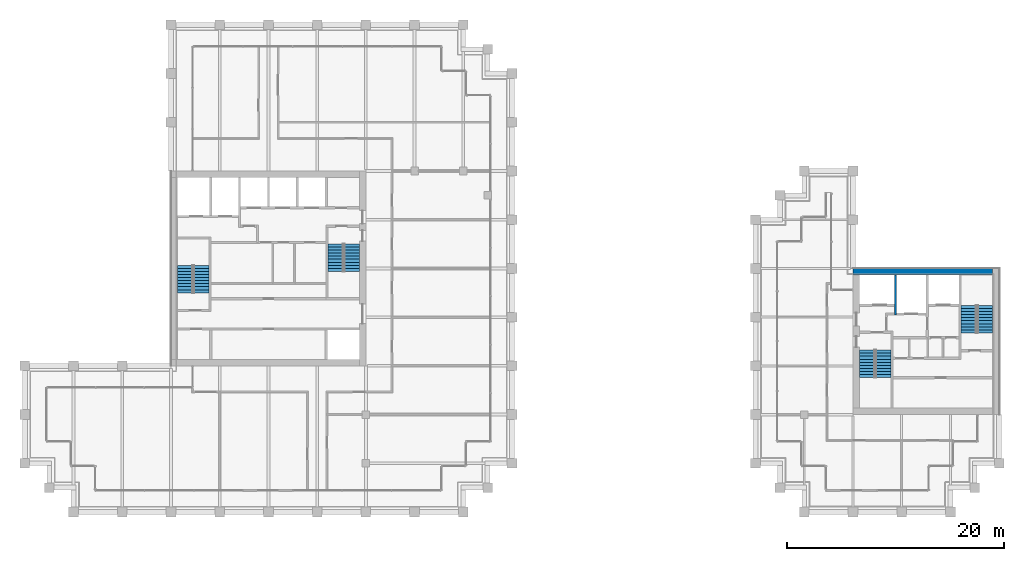
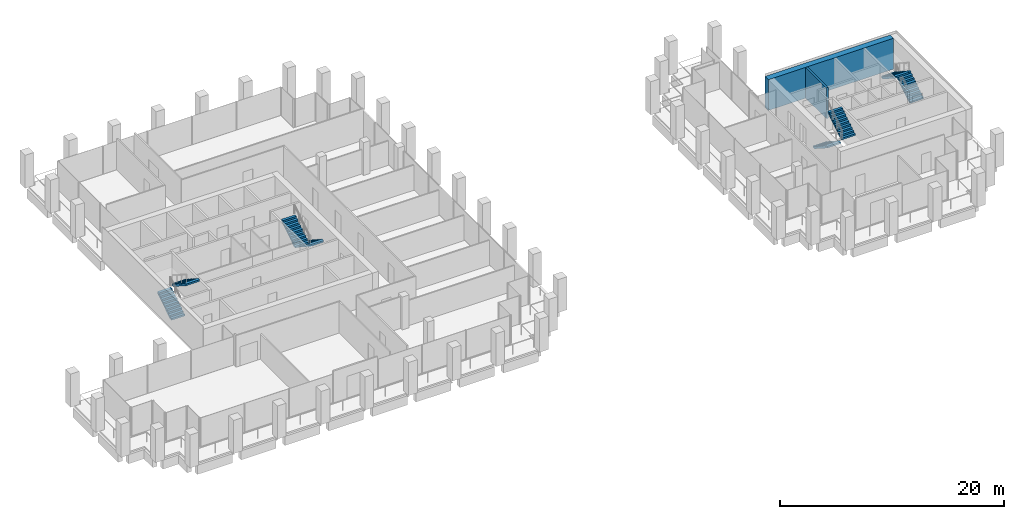
# One storey, part 39 of 40: 8 stair flights, 2 walls, 4 elements without a shape of their own.
"""IFC4 building model written with IfcOpenShell, lengths in metres."""

from ifc_helpers import new_model, si_unit, direction, frame, frame_2d, origin, place, context, subcontext, project, spatial, polyline, rectangle, outline, extrude, material, layer, layer_set, type_object, element, aggregate, save


model = new_model("IFC4")

# Units and contexts
model_context = context("Model", 3, precision=1e-05, world=origin(), true_north=direction((0.0, 1.0)))
body_context = subcontext(model_context, "Body", "Model", "MODEL_VIEW")
ifc_project = project(units=[si_unit("LENGTHUNIT", "METRE"), si_unit("AREAUNIT", "SQUARE_METRE"), si_unit("VOLUMEUNIT", "CUBIC_METRE"), si_unit("PLANEANGLEUNIT", "RADIAN"), si_unit("MASSUNIT", "GRAM", prefix="KILO")], contexts=[model_context])

# Site, building, storey
site_placement = place(None, origin())
site = spatial("IfcSite", under=ifc_project, at=site_placement, CompositionType="ELEMENT")
building_placement = place(site_placement, origin())
building = spatial("IfcBuilding", under=site, at=building_placement, Name="Altepetl Exchange Towers", CompositionType="ELEMENT")
storey_placement = place(building_placement, frame((0.0, 0.0, 176.199951171875)))
storey = spatial("IfcBuildingStorey", under=building, at=storey_placement, Name="L44", CompositionType="ELEMENT", Elevation=176.199951171875)

# Walls
ifc_material_1 = material(Name="Concrete C70/85", Category="concrete")
ifc_layer_1 = layer(ifc_material_1, 0.60009765625)
ifc_layer_set_1 = layer_set([ifc_layer_1], Name="Concrete C70/85")
wall_type_1 = type_object("IfcWallType", Name="Core wall 600 reinforced concrete external", PredefinedType="SHEAR", material=ifc_layer_set_1)
wall_1_placement = place(storey_placement, frame((103.5, 49.199951171875, 0.0)))
element("IfcWall", 1, at=wall_1_placement, inside=storey, type_object=wall_type_1, Name="wall:B:L44:K-coreN", PredefinedType="SHEAR", context=body_context, shape_type="SweptSolid", body=[
    extrude(rectangle(XDim=12.89990234375, YDim=0.60009765625, at=frame_2d((6.449951171875, 0.0))), origin(), (0.0, 0.0, 1.0), 3.35009765625),
])
ifc_material_2 = material(Name="Concrete C40/50", Category="concrete")
ifc_layer_2 = layer(ifc_material_2, 0.199951171875)
ifc_layer_set_2 = layer_set([ifc_layer_2], Name="Concrete C40/50")
wall_type_2 = type_object("IfcWallType", Name="Shaft wall 200 reinforced concrete", PredefinedType="SHEAR", material=ifc_layer_set_2)
wall_2_placement = place(storey_placement, frame((107.433349609375, 48.89990234375, 0.0), z_axis=(0.0, 0.0, 1.0), x_axis=(0.0, -1.0, 0.0)))
element("IfcWall", 2, at=wall_2_placement, inside=storey, type_object=wall_type_2, Name="wall:B:L44:K-divN1", PredefinedType="SHEAR", context=body_context, shape_type="SweptSolid", body=[
    extrude(rectangle(XDim=3.699951171875, YDim=0.199951171875, at=frame_2d((1.85009765625, 0.0))), origin(), (0.0, 0.0, 1.0), 3.35009765625),
])

# Stair, stair flights
stair_type = type_object("IfcStairType", Name="Exit stair 1400 flights dogleg", PredefinedType="HALF_TURN_STAIR", material=ifc_material_2)
stair_1_placement = place(storey_placement, origin())
stair_1 = element("IfcStair", 3, at=stair_1_placement, inside=storey, type_object=stair_type, Name="Exit stair 1", PredefinedType="HALF_TURN_STAIR")
stair_flight_type = type_object("IfcStairFlightType", Name="Stair flight 1400 wide", PredefinedType="STRAIGHT", material=ifc_material_2)
stair_flight_1_placement = place(storey_placement, frame((41.800048828125, 47.25, 0.0), z_axis=(0.0, 0.0, 1.0), x_axis=(0.0, 1.0, 0.0)))
stair_flight_1 = element("IfcStairFlight", 4, at=stair_flight_1_placement, type_object=stair_flight_type, Name="ST-A1e flight 1", NumberOfRisers=10, NumberOfTreads=9, PredefinedType="STRAIGHT", RiserHeight=0.18, TreadLength=0.28, context=body_context, shape_type="SweptSolid", body=[
    extrude(outline(polyline([(0.0, 0.0), (0.0, 0.179931640625), (0.280029296875, 0.179931640625), (0.280029296875, 0.360107421875), (0.56005859375, 0.360107421875), (0.56005859375, 0.5400390625), (0.840087890625, 0.5400390625), (0.840087890625, 0.719970703125), (1.1201171875, 0.719970703125), (1.1201171875, 0.89990234375), (1.39990234375, 0.89990234375), (1.39990234375, 1.080078125), (1.679931640625, 1.080078125), (1.679931640625, 1.260009765625), (1.9599609375, 1.260009765625), (1.9599609375, 1.43994140625), (2.239990234375, 1.43994140625), (2.239990234375, 1.6201171875), (2.52001953125, 1.6201171875), (2.52001953125, 1.800048828125), (2.52001953125, 1.44189453125), (0.277099609375, 0.0), (0.0, 0.0)])), frame((0.0, 0.699951171875, 0.0), z_axis=(0.0, -1.0, 0.0), x_axis=(1.0, 0.0, 0.0)), (0.0, 0.0, 1.0), 1.39990234375),
])
stair_flight_2_placement = place(storey_placement, frame((43.300048828125, 49.77001953125, 1.800048828125), z_axis=(0.0, 0.0, 1.0), x_axis=(0.0, -1.0, 0.0)))
stair_flight_2 = element("IfcStairFlight", 5, at=stair_flight_2_placement, type_object=stair_flight_type, Name="ST-A1e flight 2", NumberOfRisers=10, NumberOfTreads=9, PredefinedType="STRAIGHT", RiserHeight=0.18, TreadLength=0.28, context=body_context, shape_type="SweptSolid", body=[
    extrude(outline(polyline([(0.0, 0.0), (0.0, 0.179931640625), (0.280029296875, 0.179931640625), (0.280029296875, 0.360107421875), (0.56005859375, 0.360107421875), (0.56005859375, 0.5400390625), (0.840087890625, 0.5400390625), (0.840087890625, 0.719970703125), (1.1201171875, 0.719970703125), (1.1201171875, 0.89990234375), (1.39990234375, 0.89990234375), (1.39990234375, 1.080078125), (1.679931640625, 1.080078125), (1.679931640625, 1.260009765625), (1.9599609375, 1.260009765625), (1.9599609375, 1.43994140625), (2.239990234375, 1.43994140625), (2.239990234375, 1.6201171875), (2.52001953125, 1.6201171875), (2.52001953125, 1.800048828125), (2.52001953125, 1.44189453125), (0.277099609375, 0.0), (0.0, 0.0)])), frame((0.0, 0.699951171875, 0.0), z_axis=(0.0, -1.0, 0.0), x_axis=(1.0, 0.0, 0.0)), (0.0, 0.0, 1.0), 1.39990234375),
])
aggregate(stair_1, [stair_flight_1, stair_flight_2])

stair_2_placement = place(storey_placement, origin())
stair_2 = element("IfcStair", 6, at=stair_2_placement, inside=storey, type_object=stair_type, Name="Exit stair 2", PredefinedType="HALF_TURN_STAIR")
stair_flight_3_placement = place(storey_placement, frame((57.199951171875, 51.75, 0.0), z_axis=(0.0, 0.0, 1.0), x_axis=(0.0, -1.0, 0.0)))
stair_flight_3 = element("IfcStairFlight", 7, at=stair_flight_3_placement, type_object=stair_flight_type, Name="ST-A2e flight 1", NumberOfRisers=10, NumberOfTreads=9, PredefinedType="STRAIGHT", RiserHeight=0.18, TreadLength=0.28, context=body_context, shape_type="SweptSolid", body=[
    extrude(outline(polyline([(0.0, 0.0), (0.0, 0.179931640625), (0.280029296875, 0.179931640625), (0.280029296875, 0.360107421875), (0.56005859375, 0.360107421875), (0.56005859375, 0.5400390625), (0.840087890625, 0.5400390625), (0.840087890625, 0.719970703125), (1.1201171875, 0.719970703125), (1.1201171875, 0.89990234375), (1.39990234375, 0.89990234375), (1.39990234375, 1.080078125), (1.679931640625, 1.080078125), (1.679931640625, 1.260009765625), (1.9599609375, 1.260009765625), (1.9599609375, 1.43994140625), (2.239990234375, 1.43994140625), (2.239990234375, 1.6201171875), (2.52001953125, 1.6201171875), (2.52001953125, 1.800048828125), (2.52001953125, 1.44189453125), (0.277099609375, 0.0), (0.0, 0.0)])), frame((0.0, 0.699951171875, 0.0), z_axis=(0.0, -1.0, 0.0), x_axis=(1.0, 0.0, 0.0)), (0.0, 0.0, 1.0), 1.39990234375),
])
stair_flight_4_placement = place(storey_placement, frame((55.699951171875, 49.22998046875, 1.800048828125), z_axis=(0.0, 0.0, 1.0), x_axis=(0.0, 1.0, 0.0)))
stair_flight_4 = element("IfcStairFlight", 8, at=stair_flight_4_placement, type_object=stair_flight_type, Name="ST-A2e flight 2", NumberOfRisers=10, NumberOfTreads=9, PredefinedType="STRAIGHT", RiserHeight=0.18, TreadLength=0.28, context=body_context, shape_type="SweptSolid", body=[
    extrude(outline(polyline([(0.0, 0.0), (0.0, 0.179931640625), (0.280029296875, 0.179931640625), (0.280029296875, 0.360107421875), (0.56005859375, 0.360107421875), (0.56005859375, 0.5400390625), (0.840087890625, 0.5400390625), (0.840087890625, 0.719970703125), (1.1201171875, 0.719970703125), (1.1201171875, 0.89990234375), (1.39990234375, 0.89990234375), (1.39990234375, 1.080078125), (1.679931640625, 1.080078125), (1.679931640625, 1.260009765625), (1.9599609375, 1.260009765625), (1.9599609375, 1.43994140625), (2.239990234375, 1.43994140625), (2.239990234375, 1.6201171875), (2.52001953125, 1.6201171875), (2.52001953125, 1.800048828125), (2.52001953125, 1.44189453125), (0.277099609375, 0.0), (0.0, 0.0)])), frame((0.0, 0.699951171875, 0.0), z_axis=(0.0, -1.0, 0.0), x_axis=(1.0, 0.0, 0.0)), (0.0, 0.0, 1.0), 1.39990234375),
])
aggregate(stair_2, [stair_flight_3, stair_flight_4])

stair_3_placement = place(storey_placement, origin())
stair_3 = element("IfcStair", 9, at=stair_3_placement, inside=storey, type_object=stair_type, Name="Exit stair 1", PredefinedType="HALF_TURN_STAIR")
stair_flight_5_placement = place(storey_placement, frame((104.800048828125, 41.949951171875, 0.0), z_axis=(0.0, 0.0, 1.0), x_axis=(0.0, -1.0, 0.0)))
stair_flight_5 = element("IfcStairFlight", 10, at=stair_flight_5_placement, type_object=stair_flight_type, Name="ST-B1e flight 1", NumberOfRisers=10, NumberOfTreads=9, PredefinedType="STRAIGHT", RiserHeight=0.18, TreadLength=0.28, context=body_context, shape_type="SweptSolid", body=[
    extrude(outline(polyline([(0.0, 0.0), (0.0, 0.179931640625), (0.280029296875, 0.179931640625), (0.280029296875, 0.360107421875), (0.56005859375, 0.360107421875), (0.56005859375, 0.5400390625), (0.840087890625, 0.5400390625), (0.840087890625, 0.719970703125), (1.1201171875, 0.719970703125), (1.1201171875, 0.89990234375), (1.39990234375, 0.89990234375), (1.39990234375, 1.080078125), (1.679931640625, 1.080078125), (1.679931640625, 1.260009765625), (1.9599609375, 1.260009765625), (1.9599609375, 1.43994140625), (2.239990234375, 1.43994140625), (2.239990234375, 1.6201171875), (2.52001953125, 1.6201171875), (2.52001953125, 1.800048828125), (2.52001953125, 1.44189453125), (0.277099609375, 0.0), (0.0, 0.0)])), frame((0.0, 0.699951171875, 0.0), z_axis=(0.0, -1.0, 0.0), x_axis=(1.0, 0.0, 0.0)), (0.0, 0.0, 1.0), 1.39990234375),
])
stair_flight_6_placement = place(storey_placement, frame((106.300048828125, 39.429931640625, 1.800048828125), z_axis=(0.0, 0.0, 1.0), x_axis=(0.0, 1.0, 0.0)))
stair_flight_6 = element("IfcStairFlight", 11, at=stair_flight_6_placement, type_object=stair_flight_type, Name="ST-B1e flight 2", NumberOfRisers=10, NumberOfTreads=9, PredefinedType="STRAIGHT", RiserHeight=0.18, TreadLength=0.28, context=body_context, shape_type="SweptSolid", body=[
    extrude(outline(polyline([(0.0, 0.0), (0.0, 0.179931640625), (0.280029296875, 0.179931640625), (0.280029296875, 0.360107421875), (0.56005859375, 0.360107421875), (0.56005859375, 0.5400390625), (0.840087890625, 0.5400390625), (0.840087890625, 0.719970703125), (1.1201171875, 0.719970703125), (1.1201171875, 0.89990234375), (1.39990234375, 0.89990234375), (1.39990234375, 1.080078125), (1.679931640625, 1.080078125), (1.679931640625, 1.260009765625), (1.9599609375, 1.260009765625), (1.9599609375, 1.43994140625), (2.239990234375, 1.43994140625), (2.239990234375, 1.6201171875), (2.52001953125, 1.6201171875), (2.52001953125, 1.800048828125), (2.52001953125, 1.44189453125), (0.277099609375, 0.0), (0.0, 0.0)])), frame((0.0, 0.699951171875, 0.0), z_axis=(0.0, -1.0, 0.0), x_axis=(1.0, 0.0, 0.0)), (0.0, 0.0, 1.0), 1.39990234375),
])
aggregate(stair_3, [stair_flight_5, stair_flight_6])

stair_4_placement = place(storey_placement, origin())
stair_4 = element("IfcStair", 12, at=stair_4_placement, inside=storey, type_object=stair_type, Name="Exit stair 2", PredefinedType="HALF_TURN_STAIR")
stair_flight_7_placement = place(storey_placement, frame((115.699951171875, 43.550048828125, 0.0), z_axis=(0.0, 0.0, 1.0), x_axis=(0.0, 1.0, 0.0)))
stair_flight_7 = element("IfcStairFlight", 13, at=stair_flight_7_placement, type_object=stair_flight_type, Name="ST-B2e flight 1", NumberOfRisers=10, NumberOfTreads=9, PredefinedType="STRAIGHT", RiserHeight=0.18, TreadLength=0.28, context=body_context, shape_type="SweptSolid", body=[
    extrude(outline(polyline([(0.0, 0.0), (0.0, 0.179931640625), (0.280029296875, 0.179931640625), (0.280029296875, 0.360107421875), (0.56005859375, 0.360107421875), (0.56005859375, 0.5400390625), (0.840087890625, 0.5400390625), (0.840087890625, 0.719970703125), (1.1201171875, 0.719970703125), (1.1201171875, 0.89990234375), (1.39990234375, 0.89990234375), (1.39990234375, 1.080078125), (1.679931640625, 1.080078125), (1.679931640625, 1.260009765625), (1.9599609375, 1.260009765625), (1.9599609375, 1.43994140625), (2.239990234375, 1.43994140625), (2.239990234375, 1.6201171875), (2.52001953125, 1.6201171875), (2.52001953125, 1.800048828125), (2.52001953125, 1.44189453125), (0.277099609375, 0.0), (0.0, 0.0)])), frame((0.0, 0.699951171875, 0.0), z_axis=(0.0, -1.0, 0.0), x_axis=(1.0, 0.0, 0.0)), (0.0, 0.0, 1.0), 1.39990234375),
])
stair_flight_8_placement = place(storey_placement, frame((114.199951171875, 46.070068359375, 1.800048828125), z_axis=(0.0, 0.0, 1.0), x_axis=(0.0, -1.0, 0.0)))
stair_flight_8 = element("IfcStairFlight", 14, at=stair_flight_8_placement, type_object=stair_flight_type, Name="ST-B2e flight 2", NumberOfRisers=10, NumberOfTreads=9, PredefinedType="STRAIGHT", RiserHeight=0.18, TreadLength=0.28, context=body_context, shape_type="SweptSolid", body=[
    extrude(outline(polyline([(0.0, 0.0), (0.0, 0.179931640625), (0.280029296875, 0.179931640625), (0.280029296875, 0.360107421875), (0.56005859375, 0.360107421875), (0.56005859375, 0.5400390625), (0.840087890625, 0.5400390625), (0.840087890625, 0.719970703125), (1.1201171875, 0.719970703125), (1.1201171875, 0.89990234375), (1.39990234375, 0.89990234375), (1.39990234375, 1.080078125), (1.679931640625, 1.080078125), (1.679931640625, 1.260009765625), (1.9599609375, 1.260009765625), (1.9599609375, 1.43994140625), (2.239990234375, 1.43994140625), (2.239990234375, 1.6201171875), (2.52001953125, 1.6201171875), (2.52001953125, 1.800048828125), (2.52001953125, 1.44189453125), (0.277099609375, 0.0), (0.0, 0.0)])), frame((0.0, 0.699951171875, 0.0), z_axis=(0.0, -1.0, 0.0), x_axis=(1.0, 0.0, 0.0)), (0.0, 0.0, 1.0), 1.39990234375),
])
aggregate(stair_4, [stair_flight_7, stair_flight_8])

save(model, "model.ifc")
